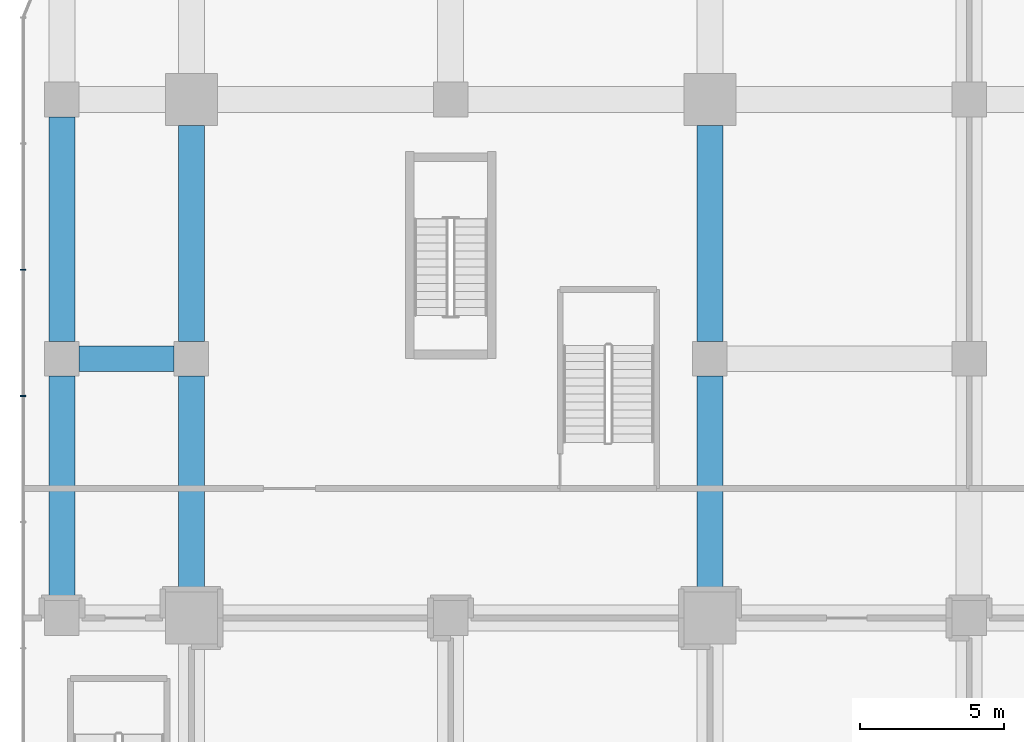
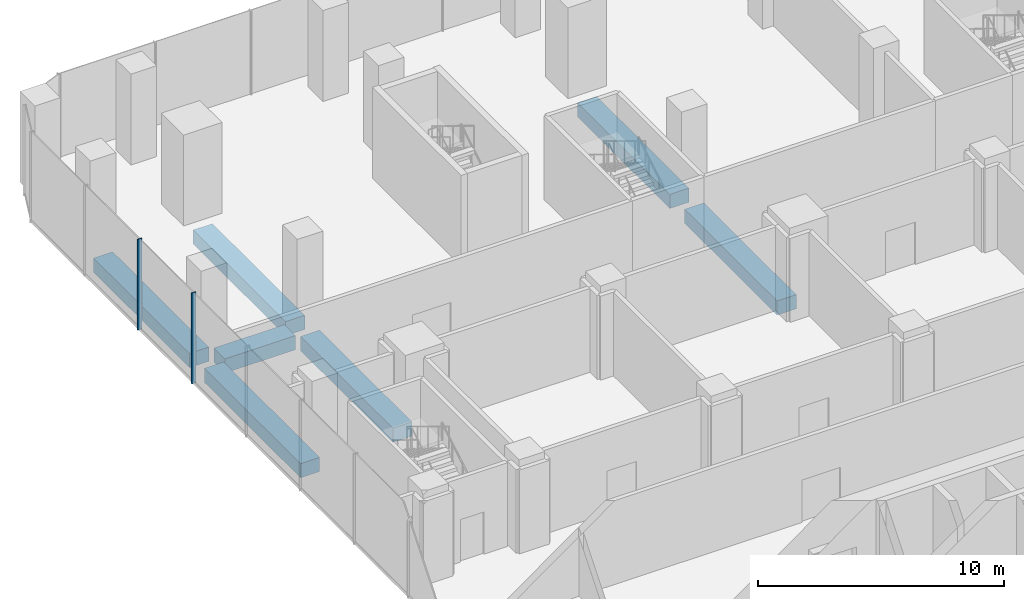
# One storey, part 11 of 43: 7 beams, 2 members, 1 element without a shape of its own.
"""IFC4 building model written with IfcOpenShell, lengths in metres."""

from ifc_helpers import new_model, si_unit, direction, frame, origin, origin_2d, place, context, subcontext, project, spatial, rectangle, extrude, material, layer, layer_set, material_profile, profile_set, type_object, element, aggregate, save


model = new_model("IFC4")

# Units and contexts
model_context = context("Model", 3, precision=1e-05, world=origin(), true_north=direction((0.0, 1.0)))
body_context = subcontext(model_context, "Body", "Model", "MODEL_VIEW")
ifc_project = project(units=[si_unit("LENGTHUNIT", "METRE"), si_unit("AREAUNIT", "SQUARE_METRE"), si_unit("VOLUMEUNIT", "CUBIC_METRE"), si_unit("PLANEANGLEUNIT", "RADIAN"), si_unit("MASSUNIT", "GRAM", prefix="KILO")], contexts=[model_context])

# Site, building, storey
site_placement = place(None, origin())
site = spatial("IfcSite", under=ifc_project, at=site_placement, CompositionType="ELEMENT")
building_placement = place(site_placement, origin())
building = spatial("IfcBuilding", under=site, at=building_placement, Name="Plateau Cross Towers", CompositionType="ELEMENT")
storey_placement = place(building_placement, frame((0.0, 0.0, 17.300048828125)))
storey = spatial("IfcBuildingStorey", under=building, at=storey_placement, Name="L03", CompositionType="ELEMENT", Elevation=17.300048828125)

# Curtain wall, members
ifc_material_1 = material(Name="Dark low-iron laminated glass", Category="glass")
ifc_layer = layer(ifc_material_1, 0.300048828125)
ifc_layer_set = layer_set([ifc_layer], Name="Dark low-iron laminated glass")
curtain_wall_type = type_object("IfcCurtainWallType", Name="Curtain wall structural silicone CW-C", PredefinedType="NOTDEFINED", material=ifc_layer_set)
curtain_wall_placement = place(storey_placement, origin())
curtain_wall = element("IfcCurtainWall", 1, at=curtain_wall_placement, inside=storey, type_object=curtain_wall_type, Name="ENV/P/L03/P-58_568", PredefinedType="NOTDEFINED")
ifc_material_2 = material(Name="Black anodised aluminium", Category="aluminium")
ifc_material_profile_1 = material_profile(ifc_material_2, rectangle(XDim=0.050048828125, YDim=0.199951171875, at=origin_2d()), Name="MULLION 50x200")
ifc_profile_set_1 = profile_set([ifc_material_profile_1], Name="Black anodised aluminium")
member_type = type_object("IfcMemberType", Name="Mullion 50x200 structural silicone", PredefinedType="MULLION", material=ifc_profile_set_1)
member_1_placement = place(storey_placement, frame((-5.85009765625, 48.090087890625, -0.35009765625), z_axis=(0.0, 0.0, 1.0), x_axis=(0.0, -1.0, 0.0)))
member_1 = element("IfcMember", 2, at=member_1_placement, type_object=member_type, Name="CW-C mullion 3", PredefinedType="MULLION", context=body_context, shape_type="SweptSolid", body=[
    extrude(rectangle(XDim=0.050048828125, YDim=0.199951171875, at=origin_2d()), origin(), (0.0, 0.0, 1.0), 4.5),
])
member_2_placement = place(storey_placement, frame((-5.85009765625, 43.7099609375, -0.35009765625), z_axis=(0.0, 0.0, 1.0), x_axis=(0.0, -1.0, 0.0)))
member_2 = element("IfcMember", 3, at=member_2_placement, type_object=member_type, Name="CW-C mullion 4", PredefinedType="MULLION", context=body_context, shape_type="SweptSolid", body=[
    extrude(rectangle(XDim=0.050048828125, YDim=0.199951171875, at=origin_2d()), origin(), (0.0, 0.0, 1.0), 4.5),
])
aggregate(curtain_wall, [member_1, member_2])

# Beams
ifc_material_3 = material(Name="Concrete C50/60", Category="concrete")
ifc_material_profile_2 = material_profile(ifc_material_3, rectangle(XDim=0.89990234375, YDim=0.699951171875, at=origin_2d()), Name="RC 900x700")
ifc_profile_set_2 = profile_set([ifc_material_profile_2], Name="Concrete C50/60")
beam_type = type_object("IfcBeamType", Name="Podium band beam RC 900x700", PredefinedType="BEAM", material=ifc_profile_set_2)
beam_placement = place(storey_placement, frame((-3.89990234375, 45.0, -0.699951171875), z_axis=(1.0, 0.0, 0.0), x_axis=(0.0, 1.0, 0.0)))
element("IfcBeam", 4, at=beam_placement, inside=storey, type_object=beam_type, Name="PB58@L03", PredefinedType="BEAM", context=body_context, shape_type="SweptSolid", body=[
    extrude(rectangle(XDim=0.89990234375, YDim=0.699951171875, at=origin_2d()), origin(), (0.0, 0.0, 1.0), 3.2998046875),
])
for number, where, z_axis, x_axis, name in (
    (5, (-4.5, 36.60009765625, -0.699951171875), (0.0, 1.0, 0.0), (-1.0, 0.0, 0.0), "PB98@L03"),
    (6, (-4.5, 45.60009765625, -0.699951171875), (0.0, 1.0, 0.0), (-1.0, 0.0, 0.0), "PB99@L03"),
):
    element("IfcBeam", number, at=place(storey_placement, frame(where, z_axis=z_axis, x_axis=x_axis)), inside=storey, type_object=beam_type, Name=name, PredefinedType="BEAM", context=body_context, shape_type="SweptSolid", body=[
        extrude(rectangle(XDim=0.89990234375, YDim=0.699951171875, at=origin_2d()), origin(), (0.0, 0.0, 1.0), 7.7998046875),
    ])
for number, where, z_axis, x_axis, name in (
    (7, (0.0, 36.89990234375, -0.699951171875), (0.0, 1.0, 0.0), (-1.0, 0.0, 0.0), "PB103@L03"),
    (8, (0.0, 45.60009765625, -0.699951171875), (0.0, 1.0, 0.0), (-1.0, 0.0, 0.0), "PB104@L03"),
    (9, (18.0, 36.89990234375, -0.699951171875), (0.0, 1.0, 0.0), (-1.0, 0.0, 0.0), "PB111@L03"),
    (10, (18.0, 45.60009765625, -0.699951171875), (0.0, 1.0, 0.0), (-1.0, 0.0, 0.0), "PB112@L03"),
):
    element("IfcBeam", number, at=place(storey_placement, frame(where, z_axis=z_axis, x_axis=x_axis)), inside=storey, type_object=beam_type, Name=name, PredefinedType="BEAM", context=body_context, shape_type="SweptSolid", body=[
        extrude(rectangle(XDim=0.89990234375, YDim=0.699951171875, at=origin_2d()), origin(), (0.0, 0.0, 1.0), 7.5),
    ])

save(model, "model.ifc")
